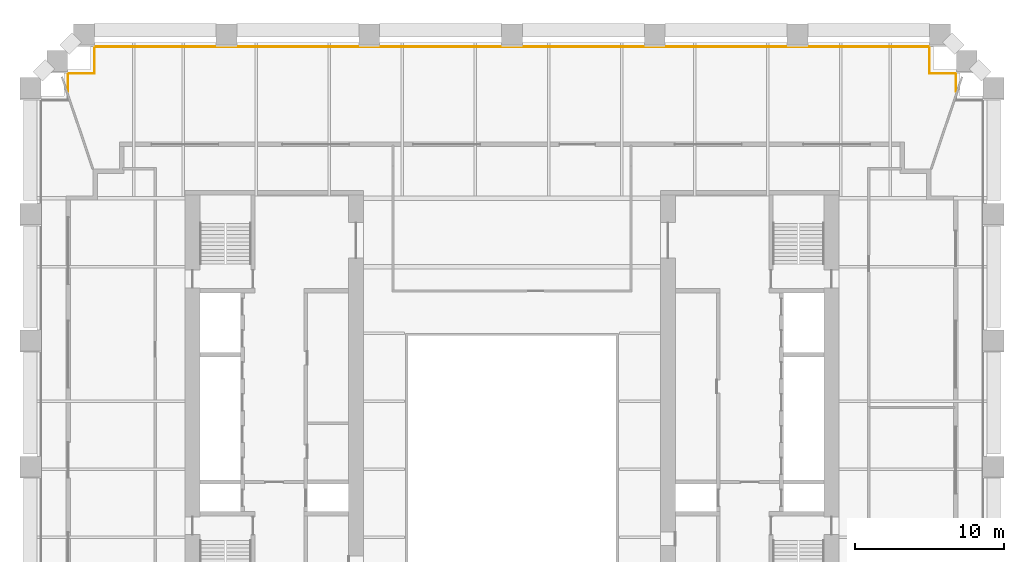
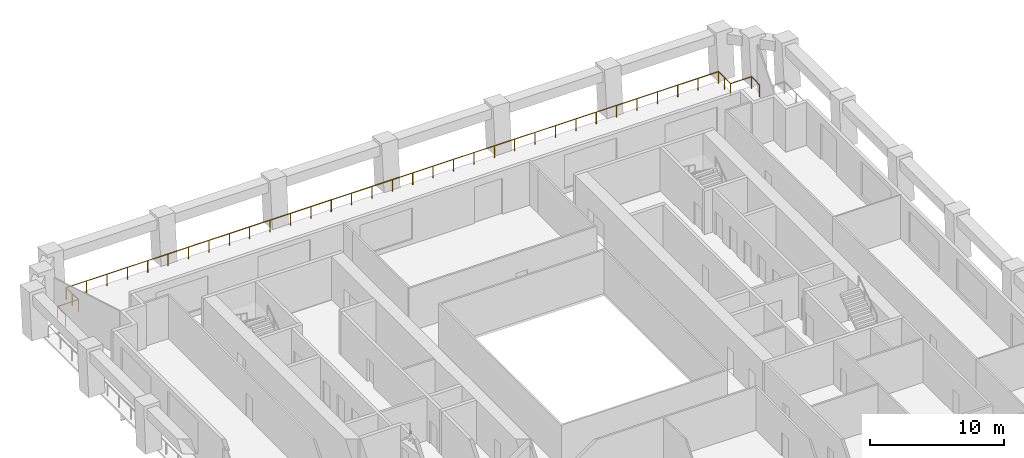
# One storey, part 9 of 9: 1 railing.
"""IFC4 building model written with IfcOpenShell, lengths in metres."""

from ifc_helpers import new_model, si_unit, direction, frame, origin, origin_2d, place, context, subcontext, project, spatial, circle, extrude, material, type_object, element, save


model = new_model("IFC4")

# Units and contexts
model_context = context("Model", 3, precision=1e-05, world=origin(), true_north=direction((0.0, 1.0)))
body_context = subcontext(model_context, "Body", "Model", "MODEL_VIEW")
ifc_project = project(units=[si_unit("LENGTHUNIT", "METRE"), si_unit("AREAUNIT", "SQUARE_METRE"), si_unit("VOLUMEUNIT", "CUBIC_METRE"), si_unit("PLANEANGLEUNIT", "RADIAN"), si_unit("MASSUNIT", "GRAM", prefix="KILO")], contexts=[model_context])

# Site, building, storey
site_placement = place(None, origin())
site = spatial("IfcSite", under=ifc_project, at=site_placement, CompositionType="ELEMENT")
building_placement = place(site_placement, origin())
building = spatial("IfcBuilding", under=site, at=building_placement, Name="Ogive Exchange Tower", CompositionType="ELEMENT")
storey_placement = place(building_placement, frame((0.0, 0.0, 85.800048828125)))
storey = spatial("IfcBuildingStorey", under=building, at=storey_placement, Name="L18", CompositionType="ELEMENT", Elevation=85.800048828125)

# Railing
ifc_material = material(Name="Stainless steel 316", Category="steel")
railing_type = type_object("IfcRailingType", Name="Guard 1100 stainless steel and glass", PredefinedType="GUARDRAIL", material=ifc_material)
railing_placement = place(storey_placement, frame((-29.8798828125, 32.406005859375, -0.050048828125)))
element("IfcRailing", 1, at=railing_placement, inside=storey, type_object=railing_type, Name="Loggia guard 3", PredefinedType="GUARDRAIL", context=body_context, shape_type="SweptSolid", body=[
    extrude(circle(Radius=0.02392578125, at=origin_2d()), frame((0.0, 0.0, 1.076171875), z_axis=(0.0, 1.0, 0.0), x_axis=(-1.0, 0.0, 0.0)), (0.0, 0.0, 1.0), 1.219482421875),
    extrude(circle(Radius=0.02392578125, at=origin_2d()), frame((0.0, 1.219482421875, 1.076171875), z_axis=(1.0, 0.0, 0.0), x_axis=(0.0, 1.0, 0.0)), (0.0, 0.0, 1.0), 1.7998046875),
    extrude(circle(Radius=0.02392578125, at=origin_2d()), frame((1.7998046875, 1.219482421875, 1.076171875), z_axis=(0.0, 1.0, 0.0), x_axis=(-1.0, 0.0, 0.0)), (0.0, 0.0, 1.0), 1.800048828125),
    extrude(circle(Radius=0.02392578125, at=origin_2d()), frame((1.7998046875, 3.01953125, 1.076171875), z_axis=(1.0, 0.0, 0.0), x_axis=(0.0, 1.0, 0.0)), (0.0, 0.0, 1.0), 56.16015625),
    extrude(circle(Radius=0.02392578125, at=origin_2d()), frame((57.9599609375, 3.01953125, 1.076171875), z_axis=(0.0, -1.0, 0.0), x_axis=(1.0, 0.0, 0.0)), (0.0, 0.0, 1.0), 1.800048828125),
    extrude(circle(Radius=0.02392578125, at=origin_2d()), frame((57.9599609375, 1.219482421875, 1.076171875), z_axis=(1.0, 0.0, 0.0), x_axis=(0.0, 1.0, 0.0)), (0.0, 0.0, 1.0), 1.7998046875),
    extrude(circle(Radius=0.02392578125, at=origin_2d()), frame((59.759765625, 1.219482421875, 1.076171875), z_axis=(0.0, -1.0, 0.0), x_axis=(1.0, 0.0, 0.0)), (0.0, 0.0, 1.0), 1.219482421875),
    extrude(circle(Radius=0.02099609375, at=origin_2d()), origin(), (0.0, 0.0, 1.0), 1.052001953125),
    extrude(circle(Radius=0.02099609375, at=origin_2d()), frame((0.0, 1.219482421875, 0.0)), (0.0, 0.0, 1.0), 1.052001953125),
    extrude(circle(Radius=0.02099609375, at=origin_2d()), frame((1.7998046875, 1.219482421875, 0.0)), (0.0, 0.0, 1.0), 1.052001953125),
    extrude(circle(Radius=0.02099609375, at=origin_2d()), frame((1.7998046875, 2.11962890625, 0.0)), (0.0, 0.0, 1.0), 1.052001953125),
    extrude(circle(Radius=0.02099609375, at=origin_2d()), frame((1.7998046875, 3.01953125, 0.0)), (0.0, 0.0, 1.0), 1.052001953125),
    extrude(circle(Radius=0.02099609375, at=origin_2d()), frame((3.5546875, 3.01953125, 0.0)), (0.0, 0.0, 1.0), 1.052001953125),
    extrude(circle(Radius=0.02099609375, at=origin_2d()), frame((5.309814453125, 3.01953125, 0.0)), (0.0, 0.0, 1.0), 1.052001953125),
    extrude(circle(Radius=0.02099609375, at=origin_2d()), frame((7.06494140625, 3.01953125, 0.0)), (0.0, 0.0, 1.0), 1.052001953125),
    extrude(circle(Radius=0.02099609375, at=origin_2d()), frame((8.81982421875, 3.01953125, 0.0)), (0.0, 0.0, 1.0), 1.052001953125),
    extrude(circle(Radius=0.02099609375, at=origin_2d()), frame((10.57470703125, 3.01953125, 0.0)), (0.0, 0.0, 1.0), 1.052001953125),
    extrude(circle(Radius=0.02099609375, at=origin_2d()), frame((12.329833984375, 3.01953125, 0.0)), (0.0, 0.0, 1.0), 1.052001953125),
    extrude(circle(Radius=0.02099609375, at=origin_2d()), frame((14.0849609375, 3.01953125, 0.0)), (0.0, 0.0, 1.0), 1.052001953125),
    extrude(circle(Radius=0.02099609375, at=origin_2d()), frame((15.83984375, 3.01953125, 0.0)), (0.0, 0.0, 1.0), 1.052001953125),
    extrude(circle(Radius=0.02099609375, at=origin_2d()), frame((17.5947265625, 3.01953125, 0.0)), (0.0, 0.0, 1.0), 1.052001953125),
    extrude(circle(Radius=0.02099609375, at=origin_2d()), frame((19.349853515625, 3.01953125, 0.0)), (0.0, 0.0, 1.0), 1.052001953125),
    extrude(circle(Radius=0.02099609375, at=origin_2d()), frame((21.10498046875, 3.01953125, 0.0)), (0.0, 0.0, 1.0), 1.052001953125),
    extrude(circle(Radius=0.02099609375, at=origin_2d()), frame((22.85986328125, 3.01953125, 0.0)), (0.0, 0.0, 1.0), 1.052001953125),
    extrude(circle(Radius=0.02099609375, at=origin_2d()), frame((24.61474609375, 3.01953125, 0.0)), (0.0, 0.0, 1.0), 1.052001953125),
    extrude(circle(Radius=0.02099609375, at=origin_2d()), frame((26.369873046875, 3.01953125, 0.0)), (0.0, 0.0, 1.0), 1.052001953125),
    extrude(circle(Radius=0.02099609375, at=origin_2d()), frame((28.125, 3.01953125, 0.0)), (0.0, 0.0, 1.0), 1.052001953125),
    extrude(circle(Radius=0.02099609375, at=origin_2d()), frame((29.8798828125, 3.01953125, 0.0)), (0.0, 0.0, 1.0), 1.052001953125),
    extrude(circle(Radius=0.02099609375, at=origin_2d()), frame((31.634765625, 3.01953125, 0.0)), (0.0, 0.0, 1.0), 1.052001953125),
    extrude(circle(Radius=0.02099609375, at=origin_2d()), frame((33.389892578125, 3.01953125, 0.0)), (0.0, 0.0, 1.0), 1.052001953125),
    extrude(circle(Radius=0.02099609375, at=origin_2d()), frame((35.14501953125, 3.01953125, 0.0)), (0.0, 0.0, 1.0), 1.052001953125),
    extrude(circle(Radius=0.02099609375, at=origin_2d()), frame((36.89990234375, 3.01953125, 0.0)), (0.0, 0.0, 1.0), 1.052001953125),
    extrude(circle(Radius=0.02099609375, at=origin_2d()), frame((38.65478515625, 3.01953125, 0.0)), (0.0, 0.0, 1.0), 1.052001953125),
    extrude(circle(Radius=0.02099609375, at=origin_2d()), frame((40.409912109375, 3.01953125, 0.0)), (0.0, 0.0, 1.0), 1.052001953125),
    extrude(circle(Radius=0.02099609375, at=origin_2d()), frame((42.1650390625, 3.01953125, 0.0)), (0.0, 0.0, 1.0), 1.052001953125),
    extrude(circle(Radius=0.02099609375, at=origin_2d()), frame((43.919921875, 3.01953125, 0.0)), (0.0, 0.0, 1.0), 1.052001953125),
    extrude(circle(Radius=0.02099609375, at=origin_2d()), frame((45.6748046875, 3.01953125, 0.0)), (0.0, 0.0, 1.0), 1.052001953125),
    extrude(circle(Radius=0.02099609375, at=origin_2d()), frame((47.429931640625, 3.01953125, 0.0)), (0.0, 0.0, 1.0), 1.052001953125),
    extrude(circle(Radius=0.02099609375, at=origin_2d()), frame((49.18505859375, 3.01953125, 0.0)), (0.0, 0.0, 1.0), 1.052001953125),
    extrude(circle(Radius=0.02099609375, at=origin_2d()), frame((50.93994140625, 3.01953125, 0.0)), (0.0, 0.0, 1.0), 1.052001953125),
    extrude(circle(Radius=0.02099609375, at=origin_2d()), frame((52.69482421875, 3.01953125, 0.0)), (0.0, 0.0, 1.0), 1.052001953125),
    extrude(circle(Radius=0.02099609375, at=origin_2d()), frame((54.449951171875, 3.01953125, 0.0)), (0.0, 0.0, 1.0), 1.052001953125),
    extrude(circle(Radius=0.02099609375, at=origin_2d()), frame((56.205078125, 3.01953125, 0.0)), (0.0, 0.0, 1.0), 1.052001953125),
    extrude(circle(Radius=0.02099609375, at=origin_2d()), frame((57.9599609375, 3.01953125, 0.0)), (0.0, 0.0, 1.0), 1.052001953125),
    extrude(circle(Radius=0.02099609375, at=origin_2d()), frame((57.9599609375, 2.11962890625, 0.0)), (0.0, 0.0, 1.0), 1.052001953125),
    extrude(circle(Radius=0.02099609375, at=origin_2d()), frame((57.9599609375, 1.219482421875, 0.0)), (0.0, 0.0, 1.0), 1.052001953125),
    extrude(circle(Radius=0.02099609375, at=origin_2d()), frame((59.759765625, 1.219482421875, 0.0)), (0.0, 0.0, 1.0), 1.052001953125),
    extrude(circle(Radius=0.02099609375, at=origin_2d()), frame((59.759765625, 0.0, 0.0)), (0.0, 0.0, 1.0), 1.052001953125),
])

save(model, "model.ifc")
